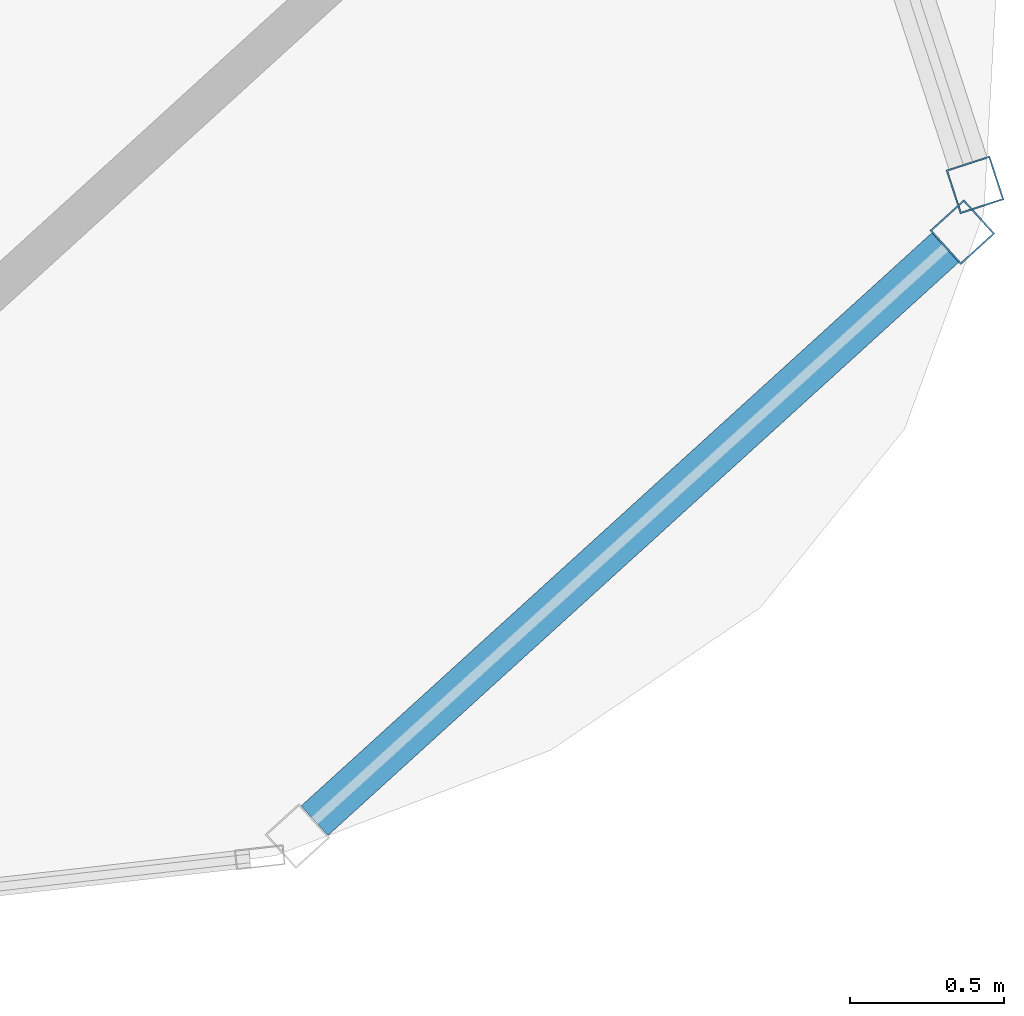
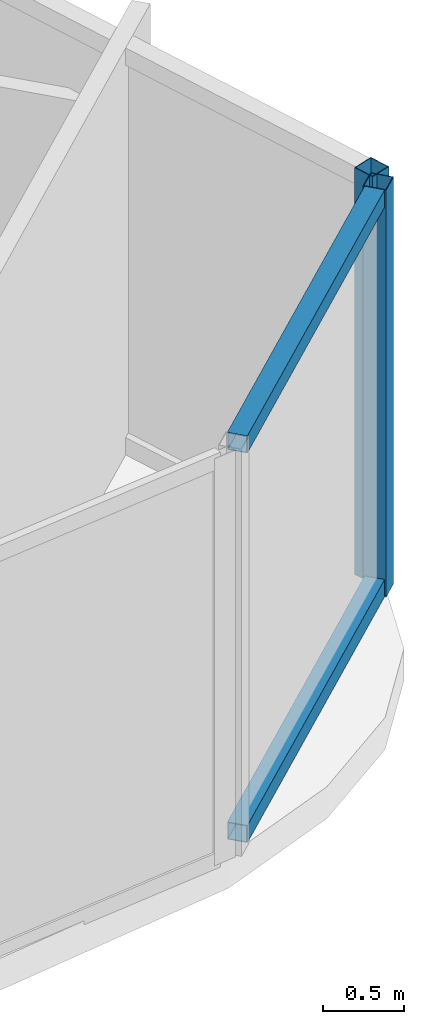
# One storey, part 16 of 34: 4 members, 2 elements without a shape of their own.
"""IFC4 building model written with IfcOpenShell, lengths in metres."""

from ifc_helpers import new_model, si_unit, direction, frame, origin, origin_2d, place, context, subcontext, project, spatial, hollow_rectangle, extrude, material, layer, layer_set, material_profile, profile_set, type_object, element, aggregate, save


model = new_model("IFC4")

# Units and contexts
model_context = context("Model", 3, precision=1e-05, world=origin(), true_north=direction((0.0, 1.0)))
body_context = subcontext(model_context, "Body", "Model", "MODEL_VIEW")
ifc_project = project(units=[si_unit("LENGTHUNIT", "METRE"), si_unit("AREAUNIT", "SQUARE_METRE"), si_unit("VOLUMEUNIT", "CUBIC_METRE"), si_unit("PLANEANGLEUNIT", "RADIAN"), si_unit("MASSUNIT", "GRAM", prefix="KILO")], contexts=[model_context])

# Site, building, storey
site_placement = place(None, origin())
site = spatial("IfcSite", under=ifc_project, at=site_placement, CompositionType="ELEMENT")
building_placement = place(site_placement, origin())
building = spatial("IfcBuilding", under=site, at=building_placement, Name="Orvanel Arch Residences", CompositionType="ELEMENT")
storey_placement = place(building_placement, frame((0.0, 0.0, 199.699951171875)))
storey = spatial("IfcBuildingStorey", under=building, at=storey_placement, Name="L56", CompositionType="ELEMENT", Elevation=199.699951171875)

# Curtain wall, member
ifc_material = material(Name="Bronze-anodised aluminium AA6063-T6", Category="aluminium")
ifc_layer = layer(ifc_material, 0.18994140625)
ifc_layer_set = layer_set([ifc_layer], Name="Bronze-anodised aluminium AA6063-T6")
curtain_wall_type = type_object("IfcCurtainWallType", Name="CW5-CRN-SYS", PredefinedType="NOTDEFINED", material=ifc_layer_set)
curtain_wall_1_placement = place(storey_placement, origin())
curtain_wall_1 = element("IfcCurtainWall", 1, at=curtain_wall_1_placement, inside=storey, type_object=curtain_wall_type, Name="L56 CW5-CRN-SYS Unitised Curtain Wall", PredefinedType="NOTDEFINED")
ifc_material_profile_1 = material_profile(ifc_material, hollow_rectangle(XDim=0.14990234375, YDim=0.14990234375, WallThickness=0.0048828125, at=origin_2d()), Name="ALU150x150x5")
ifc_profile_set_1 = profile_set([ifc_material_profile_1], Name="Bronze-anodised aluminium AA6063-T6")
member_type_1 = type_object("IfcMemberType", Name="MUL-150x150", PredefinedType="MULLION", material=ifc_profile_set_1)
member_1_placement = place(storey_placement, frame((56.550537109375, 8.383544921875, 0.0), z_axis=(0.0, 0.0, 1.0), x_axis=(-0.672478543839, 0.740116617889, 0.0)))
member_1 = element("IfcMember", 2, at=member_1_placement, type_object=member_type_1, Name="CW-S5 mullion 2", PredefinedType="MULLION", context=body_context, shape_type="SweptSolid", body=[
    extrude(hollow_rectangle(XDim=0.14990234375, YDim=0.14990234375, WallThickness=0.0048828125, at=origin_2d()), origin(), (0.0, 0.0, 1.0), 3.06005859375),
])

curtain_wall_2_placement = place(storey_placement, origin())
curtain_wall_2 = element("IfcCurtainWall", 3, at=curtain_wall_2_placement, inside=storey, type_object=curtain_wall_type, Name="L56 CW5-CRN-SYS Unitised Curtain Wall", PredefinedType="NOTDEFINED")
member_2_placement = place(storey_placement, frame((56.591796875, 8.537353515625, 0.0), z_axis=(0.0, 0.0, 1.0), x_axis=(-0.951217039439, -0.308522517622, 0.0)))
member_2 = element("IfcMember", 4, at=member_2_placement, type_object=member_type_1, Name="CW-S5 mullion 1", PredefinedType="MULLION", context=body_context, shape_type="SweptSolid", body=[
    extrude(hollow_rectangle(XDim=0.14990234375, YDim=0.14990234375, WallThickness=0.0048828125, at=origin_2d()), origin(), (0.0, 0.0, 1.0), 3.06005859375),
])
aggregate(curtain_wall_2, [member_2])

# Member
ifc_material_profile_2 = material_profile(ifc_material, hollow_rectangle(XDim=0.1298828125, YDim=0.1298828125, WallThickness=0.00439453125, at=origin_2d()), Name="ALU130x130x4.5")
ifc_profile_set_2 = profile_set([ifc_material_profile_2], Name="Bronze-anodised aluminium AA6063-T6")
member_type_2 = type_object("IfcMemberType", Name="TRN-130x130", PredefinedType="USERDEFINED", material=ifc_profile_set_2)
member_3_placement = place(storey_placement, frame((54.44091796875, 6.466796875, 0.06494140625), z_axis=(0.740123158763, 0.672471345012, 0.0), x_axis=(-0.672471345012, 0.740123158763, 0.0)))
member_3 = element("IfcMember", 5, at=member_3_placement, type_object=member_type_2, Name="CW-S5 transom 1.1", ObjectType="TRANSOM", PredefinedType="USERDEFINED", context=body_context, shape_type="SweptSolid", body=[
    extrude(hollow_rectangle(XDim=0.1298828125, YDim=0.1298828125, WallThickness=0.00439453125, at=origin_2d()), origin(), (0.0, 0.0, 1.0), 2.775146484375),
])

member_4_placement = place(storey_placement, frame((54.44091796875, 6.466796875, 2.9951171875), z_axis=(0.740123158763, 0.672471345012, 0.0), x_axis=(-0.672471345012, 0.740123158763, 0.0)))
member_4 = element("IfcMember", 6, at=member_4_placement, type_object=member_type_2, Name="CW-S5 transom 1.2", ObjectType="TRANSOM", PredefinedType="USERDEFINED", context=body_context, shape_type="SweptSolid", body=[
    extrude(hollow_rectangle(XDim=0.1298828125, YDim=0.1298828125, WallThickness=0.00439453125, at=origin_2d()), origin(), (0.0, 0.0, 1.0), 2.775146484375),
])

aggregate(curtain_wall_1, [member_1, member_3, member_4])

save(model, "model.ifc")
